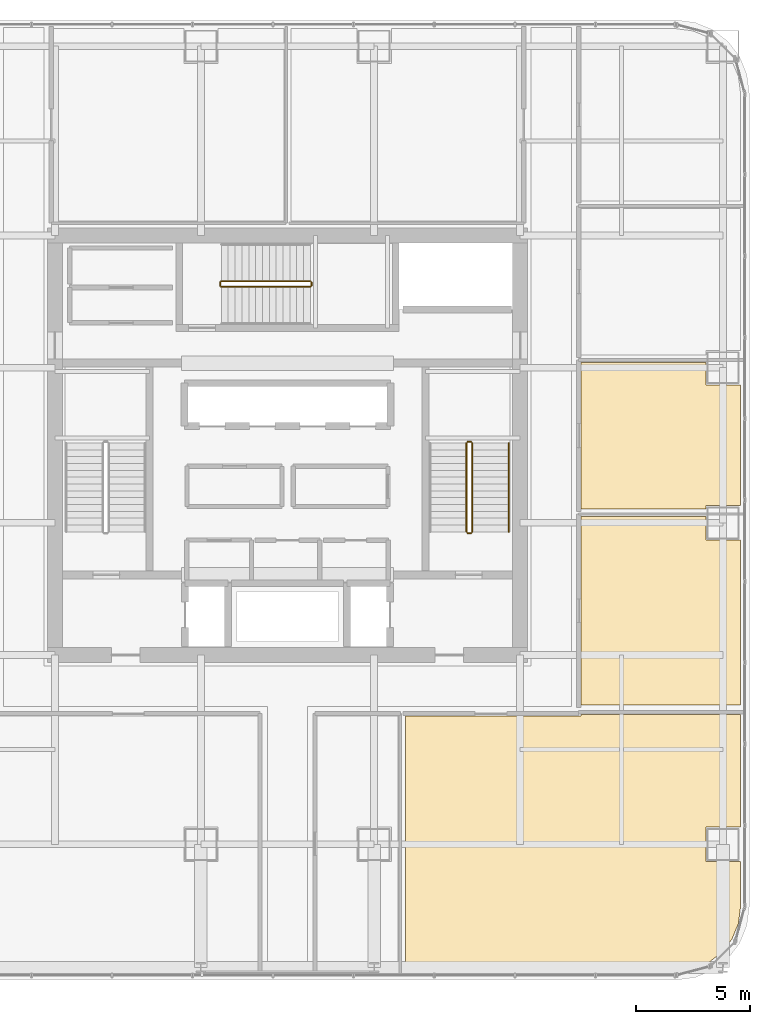
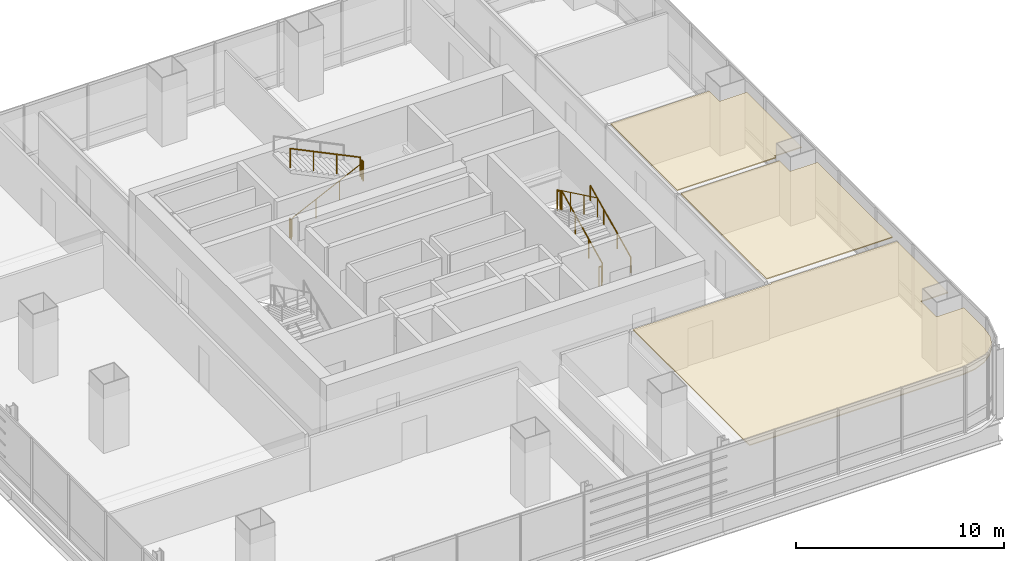
# One storey, part 36 of 37: 9 railings, 3 coverings.
"""IFC4 building model written with IfcOpenShell, lengths in metres."""

from ifc_helpers import new_model, si_unit, direction, frame, origin, origin_2d, place, context, subcontext, project, spatial, polyline, circle, outline, extrude, material, layer, layer_set, type_object, element, save


model = new_model("IFC4")

# Units and contexts
model_context = context("Model", 3, precision=1e-05, world=origin(), true_north=direction((0.0, 1.0)))
body_context = subcontext(model_context, "Body", "Model", "MODEL_VIEW")
ifc_project = project(units=[si_unit("LENGTHUNIT", "METRE"), si_unit("AREAUNIT", "SQUARE_METRE"), si_unit("VOLUMEUNIT", "CUBIC_METRE"), si_unit("PLANEANGLEUNIT", "RADIAN"), si_unit("MASSUNIT", "GRAM", prefix="KILO")], contexts=[model_context])

# Site, building, storey
site_placement = place(None, origin())
site = spatial("IfcSite", under=ifc_project, at=site_placement, CompositionType="ELEMENT")
building_placement = place(site_placement, origin())
building = spatial("IfcBuilding", under=site, at=building_placement, Name="Punatoya Terracotta Tower", CompositionType="ELEMENT")
storey_placement = place(building_placement, frame((0.0, 0.0, 192.449951171875)))
storey = spatial("IfcBuildingStorey", under=building, at=storey_placement, Name="L45", CompositionType="ELEMENT", Elevation=192.449951171875)

# Coverings
ifc_material_1 = material(Name="Acoustic Mineral Fibre Ceiling")
ifc_layer = layer(ifc_material_1, 0.06005859375)
ifc_layer_set = layer_set([ifc_layer], Name="Acoustic Mineral Fibre Ceiling")
covering_type = type_object("IfcCoveringType", Name="COV-CEIL-60", PredefinedType="CEILING", material=ifc_layer_set)
covering_1_placement = place(storey_placement, frame((0.0, 0.0, 3.219970703125)))
element("IfcCovering", 1, at=covering_1_placement, inside=storey, type_object=covering_type, Name="L45 Collaborative Workshop Room Acoustic Ceiling", PredefinedType="CEILING", context=body_context, shape_type="SweptSolid", body=[
    extrude(outline(polyline([(12.8701171875, -11.8701171875), (5.16796875, -11.8701171875), (5.16796875, -23.070068359375), (17.025146484375, -23.070068359375), (17.779052734375, -22.970703125), (18.458251953125, -22.689453125), (19.041748046875, -22.24169921875), (19.489501953125, -21.658203125), (19.770751953125, -20.97900390625), (19.8701171875, -20.22509765625), (19.8701171875, -18.25), (18.35009765625, -18.25), (18.35009765625, -16.75), (19.8701171875, -16.75), (19.8701171875, -11.81005859375), (12.8701171875, -11.81005859375), (12.8701171875, -11.8701171875)])), origin(), (0.0, 0.0, 1.0), 0.06005859375),
])
covering_2_placement = place(storey_placement, frame((0.0, 0.0, 3.219970703125)))
element("IfcCovering", 2, at=covering_2_placement, inside=storey, type_object=covering_type, Name="L45 Open-Plan Executive Briefing Room Acoustic Ceiling", PredefinedType="CEILING", context=body_context, shape_type="SweptSolid", body=[
    extrude(outline(polyline([(19.8701171875, -11.389892578125), (19.8701171875, -4.14990234375), (18.35009765625, -4.14990234375), (18.35009765625, -3.114013671875), (12.8701171875, -3.114013671875), (12.8701171875, -11.389892578125), (19.8701171875, -11.389892578125)])), origin(), (0.0, 0.0, 1.0), 0.06005859375),
])
covering_3_placement = place(storey_placement, frame((0.0, 0.0, 3.219970703125)))
element("IfcCovering", 3, at=covering_3_placement, inside=storey, type_object=covering_type, Name="L45 Open-Plan Delegate Reception Lounge Acoustic Ceiling", PredefinedType="CEILING", context=body_context, shape_type="SweptSolid", body=[
    extrude(outline(polyline([(18.35009765625, -2.7939453125), (18.35009765625, -2.64990234375), (19.8701171875, -2.64990234375), (19.8701171875, 2.64990234375), (18.35009765625, 2.64990234375), (18.35009765625, 3.639892578125), (12.8701171875, 3.639892578125), (12.8701171875, -2.7939453125), (18.35009765625, -2.7939453125)])), origin(), (0.0, 0.0, 1.0), 0.06005859375),
])

# Railings
ifc_material_2 = material(Name="Steel S355", Category="steel")
railing_type_1 = type_object("IfcRailingType", Name="RLG-GRD-1150", PredefinedType="GUARDRAIL", material=ifc_material_2)
railing_1_placement = place(storey_placement, frame((8.10009765625, -3.800048828125, 0.144775390625)))
element("IfcRailing", 4, at=railing_1_placement, inside=storey, type_object=railing_type_1, Name="L45 ST-2 stair guard 1", PredefinedType="GUARDRAIL", context=body_context, shape_type="SweptSolid", body=[
    extrude(circle(Radius=0.02392578125, at=origin_2d()), frame((0.0, 0.0, 1.1259765625), z_axis=(0.0, 0.900773802044, 0.434288564841), x_axis=(-1.0, 0.0, 0.0)), (0.0, 0.0, 1.0), 4.329833984375),
    extrude(circle(Radius=0.02099609375, at=origin_2d()), origin(), (0.0, 0.0, 1.0), 1.101806640625),
    extrude(circle(Radius=0.02099609375, at=origin_2d()), frame((0.0, 1.300048828125, 0.626708984375)), (0.0, 0.0, 1.0), 1.101806640625),
    extrude(circle(Radius=0.02099609375, at=origin_2d()), frame((0.0, 2.60009765625, 1.253662109375)), (0.0, 0.0, 1.0), 1.101806640625),
    extrude(circle(Radius=0.02099609375, at=origin_2d()), frame((0.0, 3.900146484375, 1.88037109375)), (0.0, 0.0, 1.0), 1.101806640625),
])
railing_2_placement = place(storey_placement, frame((8.050048828125, 0.14990234375, 2.025146484375)))
element("IfcRailing", 5, at=railing_2_placement, inside=storey, type_object=railing_type_1, Name="L45 ST-2 stair guard 2", PredefinedType="GUARDRAIL", context=body_context, shape_type="SweptSolid", body=[
    extrude(circle(Radius=0.02392578125, at=origin_2d()), frame((0.0, 0.0, 1.1259765625), z_axis=(-1.0, 0.0, 0.0), x_axis=(0.0, -1.0, 0.0)), (0.0, 0.0, 1.0), 0.150146484375),
    extrude(circle(Radius=0.02099609375, at=origin_2d()), origin(), (0.0, 0.0, 1.0), 1.101806640625),
    extrude(circle(Radius=0.02099609375, at=origin_2d()), frame((-0.150146484375, 0.0, 0.0)), (0.0, 0.0, 1.0), 1.101806640625),
])
railing_3_placement = place(storey_placement, frame((7.85009765625, 0.10009765625, 2.169677734375)))
element("IfcRailing", 6, at=railing_3_placement, inside=storey, type_object=railing_type_1, Name="L45 ST-2 stair guard 3", PredefinedType="GUARDRAIL", context=body_context, shape_type="SweptSolid", body=[
    extrude(circle(Radius=0.02392578125, at=origin_2d()), frame((0.0, 0.0, 1.1259765625), z_axis=(0.0, -0.900773802044, 0.434288564841), x_axis=(1.0, 0.0, 0.0)), (0.0, 0.0, 1.0), 4.329833984375),
    extrude(circle(Radius=0.02099609375, at=origin_2d()), origin(), (0.0, 0.0, 1.0), 1.101806640625),
    extrude(circle(Radius=0.02099609375, at=origin_2d()), frame((0.0, -1.300048828125, 0.626708984375)), (0.0, 0.0, 1.0), 1.101806640625),
    extrude(circle(Radius=0.02099609375, at=origin_2d()), frame((0.0, -2.60009765625, 1.253662109375)), (0.0, 0.0, 1.0), 1.101806640625),
    extrude(circle(Radius=0.02099609375, at=origin_2d()), frame((0.0, -3.900146484375, 1.88037109375)), (0.0, 0.0, 1.0), 1.101806640625),
])
railing_4_placement = place(storey_placement, frame((8.050048828125, -3.85009765625, 0.0)))
element("IfcRailing", 7, at=railing_4_placement, inside=storey, type_object=railing_type_1, Name="L45 ST-2 stair guard 4", PredefinedType="GUARDRAIL", context=body_context, shape_type="SweptSolid", body=[
    extrude(circle(Radius=0.02392578125, at=origin_2d()), frame((0.0, 0.0, 1.1259765625), z_axis=(-1.0, 0.0, 0.0), x_axis=(0.0, -1.0, 0.0)), (0.0, 0.0, 1.0), 0.150146484375),
    extrude(circle(Radius=0.02099609375, at=origin_2d()), origin(), (0.0, 0.0, 1.0), 1.101806640625),
    extrude(circle(Radius=0.02099609375, at=origin_2d()), frame((-0.150146484375, 0.0, 0.0)), (0.0, 0.0, 1.0), 1.101806640625),
])
railing_5_placement = place(storey_placement, frame((-2.89990234375, 6.949951171875, 0.144775390625)))
element("IfcRailing", 8, at=railing_5_placement, inside=storey, type_object=railing_type_1, Name="L45 ST-3 stair guard 1", PredefinedType="GUARDRAIL", context=body_context, shape_type="SweptSolid", body=[
    extrude(circle(Radius=0.02392578125, at=origin_2d()), frame((0.0, 0.0, 1.1259765625), z_axis=(0.900763166376, 0.0, 0.434310623978), x_axis=(0.0, 1.0, 0.0)), (0.0, 0.0, 1.0), 4.32958984375),
    extrude(circle(Radius=0.02099609375, at=origin_2d()), origin(), (0.0, 0.0, 1.0), 1.101806640625),
    extrude(circle(Radius=0.02099609375, at=origin_2d()), frame((1.300048828125, 0.0, 0.626708984375)), (0.0, 0.0, 1.0), 1.101806640625),
    extrude(circle(Radius=0.02099609375, at=origin_2d()), frame((2.599853515625, 0.0, 1.253662109375)), (0.0, 0.0, 1.0), 1.101806640625),
    extrude(circle(Radius=0.02099609375, at=origin_2d()), frame((3.89990234375, 0.0, 1.88037109375)), (0.0, 0.0, 1.0), 1.101806640625),
])
railing_6_placement = place(storey_placement, frame((1.050048828125, 7.0, 2.025146484375)))
element("IfcRailing", 9, at=railing_6_placement, inside=storey, type_object=railing_type_1, Name="L45 ST-3 stair guard 2", PredefinedType="GUARDRAIL", context=body_context, shape_type="SweptSolid", body=[
    extrude(circle(Radius=0.02392578125, at=origin_2d()), frame((0.0, 0.0, 1.1259765625), z_axis=(0.0, 1.0, 0.0), x_axis=(-1.0, 0.0, 0.0)), (0.0, 0.0, 1.0), 0.14990234375),
    extrude(circle(Radius=0.02099609375, at=origin_2d()), origin(), (0.0, 0.0, 1.0), 1.101806640625),
    extrude(circle(Radius=0.02099609375, at=origin_2d()), frame((0.0, 0.14990234375, 0.0)), (0.0, 0.0, 1.0), 1.101806640625),
])
railing_7_placement = place(storey_placement, frame((1.0, 7.199951171875, 2.169677734375)))
element("IfcRailing", 10, at=railing_7_placement, inside=storey, type_object=railing_type_1, Name="L45 ST-3 stair guard 3", PredefinedType="GUARDRAIL", context=body_context, shape_type="SweptSolid", body=[
    extrude(circle(Radius=0.02392578125, at=origin_2d()), frame((0.0, 0.0, 1.1259765625), z_axis=(-0.900763166376, 0.0, 0.434310623978), x_axis=(0.0, -1.0, 0.0)), (0.0, 0.0, 1.0), 4.32958984375),
    extrude(circle(Radius=0.02099609375, at=origin_2d()), origin(), (0.0, 0.0, 1.0), 1.101806640625),
    extrude(circle(Radius=0.02099609375, at=origin_2d()), frame((-1.300048828125, 0.0, 0.626708984375)), (0.0, 0.0, 1.0), 1.101806640625),
    extrude(circle(Radius=0.02099609375, at=origin_2d()), frame((-2.599853515625, 0.0, 1.253662109375)), (0.0, 0.0, 1.0), 1.101806640625),
    extrude(circle(Radius=0.02099609375, at=origin_2d()), frame((-3.89990234375, 0.0, 1.88037109375)), (0.0, 0.0, 1.0), 1.101806640625),
])
railing_8_placement = place(storey_placement, frame((-2.949951171875, 7.0, 0.0)))
element("IfcRailing", 11, at=railing_8_placement, inside=storey, type_object=railing_type_1, Name="L45 ST-3 stair guard 4", PredefinedType="GUARDRAIL", context=body_context, shape_type="SweptSolid", body=[
    extrude(circle(Radius=0.02392578125, at=origin_2d()), frame((0.0, 0.0, 1.1259765625), z_axis=(0.0, 1.0, 0.0), x_axis=(-1.0, 0.0, 0.0)), (0.0, 0.0, 1.0), 0.14990234375),
    extrude(circle(Radius=0.02099609375, at=origin_2d()), origin(), (0.0, 0.0, 1.0), 1.101806640625),
    extrude(circle(Radius=0.02099609375, at=origin_2d()), frame((0.0, 0.14990234375, 0.0)), (0.0, 0.0, 1.0), 1.101806640625),
])
railing_type_2 = type_object("IfcRailingType", Name="RLG-HND-900", PredefinedType="HANDRAIL", material=ifc_material_2)
railing_9_placement = place(storey_placement, frame((9.699951171875, -3.800048828125, 0.144775390625)))
element("IfcRailing", 12, at=railing_9_placement, inside=storey, type_object=railing_type_2, Name="L45 ST-2 stair handrail 1", PredefinedType="HANDRAIL", context=body_context, shape_type="SweptSolid", body=[
    extrude(circle(Radius=0.02392578125, at=origin_2d()), frame((0.0, 0.0, 0.8759765625), z_axis=(0.0, 0.900773802044, 0.434288564841), x_axis=(-1.0, 0.0, 0.0)), (0.0, 0.0, 1.0), 4.329833984375),
    extrude(circle(Radius=0.02099609375, at=origin_2d()), origin(), (0.0, 0.0, 1.0), 0.851806640625),
    extrude(circle(Radius=0.02099609375, at=origin_2d()), frame((0.0, 1.300048828125, 0.626708984375)), (0.0, 0.0, 1.0), 0.851806640625),
    extrude(circle(Radius=0.02099609375, at=origin_2d()), frame((0.0, 2.60009765625, 1.253662109375)), (0.0, 0.0, 1.0), 0.851806640625),
    extrude(circle(Radius=0.02099609375, at=origin_2d()), frame((0.0, 3.900146484375, 1.88037109375)), (0.0, 0.0, 1.0), 0.851806640625),
])

save(model, "model.ifc")
